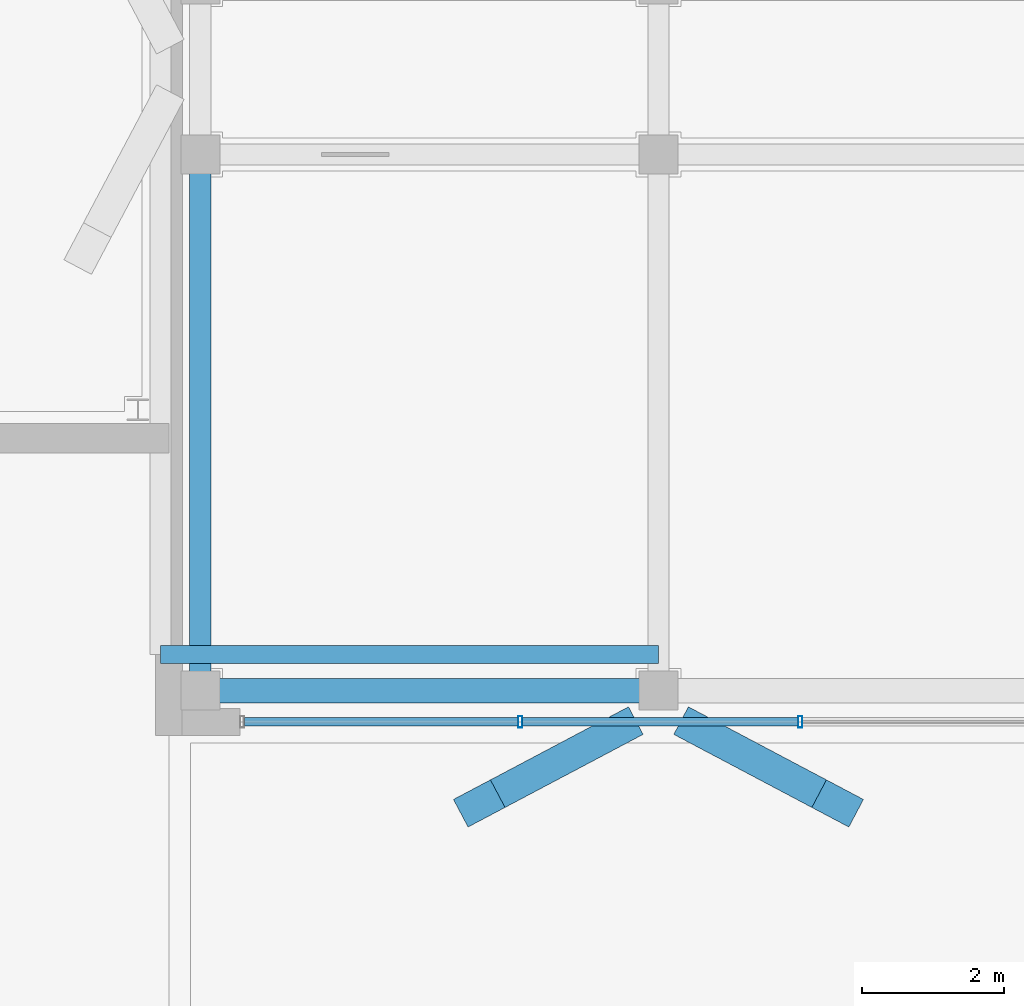
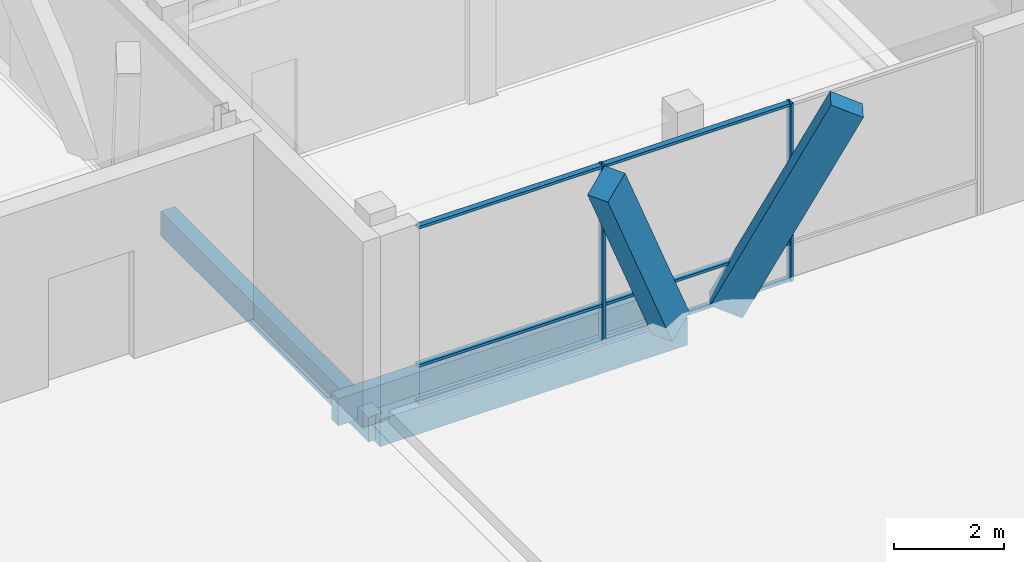
# One storey, part 129 of 233: 10 members, 3 beams, 1 element without a shape of its own.
"""IFC4 building model written with IfcOpenShell, lengths in metres."""

from ifc_helpers import new_model, si_unit, direction, frame, origin, origin_2d, place, context, subcontext, project, spatial, rectangle, hollow_rectangle, extrude, material, material_profile, profile_set, type_object, element, aggregate, save


model = new_model("IFC4")

# Units and contexts
model_context = context("Model", 3, precision=1e-05, world=origin(), true_north=direction((0.0, 1.0)))
body_context = subcontext(model_context, "Body", "Model", "MODEL_VIEW")
ifc_project = project(units=[si_unit("LENGTHUNIT", "METRE"), si_unit("AREAUNIT", "SQUARE_METRE"), si_unit("VOLUMEUNIT", "CUBIC_METRE"), si_unit("PLANEANGLEUNIT", "RADIAN"), si_unit("MASSUNIT", "GRAM", prefix="KILO")], contexts=[model_context])

# Site, building, storey
site_placement = place(None, origin())
site = spatial("IfcSite", under=ifc_project, at=site_placement, CompositionType="ELEMENT")
building_placement = place(site_placement, origin())
building = spatial("IfcBuilding", under=site, at=building_placement, Name="Zavelmont Quarter", CompositionType="ELEMENT")
storey_placement = place(building_placement, origin())
storey = spatial("IfcBuildingStorey", under=building, at=storey_placement, Name="L00", CompositionType="ELEMENT", Elevation=0.0)

# Beams
ifc_material_1 = material(Name="Concrete C35/45", Category="concrete")
ifc_material_profile_1 = material_profile(ifc_material_1, rectangle(XDim=0.35009765625, YDim=0.60009765625, at=origin_2d()), Name="RC350X600")
ifc_profile_set_1 = profile_set([ifc_material_profile_1], Name="Concrete C35/45")
beam_type_1 = type_object("IfcBeamType", Name="BM01", PredefinedType="SPANDREL", material=ifc_profile_set_1)
beam_1_placement = place(storey_placement, frame((113.239990234375, 98.0400390625, -0.6201171875), z_axis=(1.0, 0.0, 0.0), x_axis=(0.0, 1.0, 0.0)))
element("IfcBeam", 1, at=beam_1_placement, inside=storey, type_object=beam_type_1, Name="L00 beam BM01 17/P to 18/P", PredefinedType="SPANDREL", context=body_context, shape_type="SweptSolid", body=[
    extrude(rectangle(XDim=0.35009765625, YDim=0.60009765625, at=origin_2d()), origin(), (0.0, 0.0, 1.0), 6.4599609375),
])
ifc_material_profile_2 = material_profile(ifc_material_1, rectangle(XDim=0.300048828125, YDim=0.550048828125, at=origin_2d()), Name="RC300X550")
ifc_profile_set_2 = profile_set([ifc_material_profile_2], Name="Concrete C35/45")
beam_type_2 = type_object("IfcBeamType", Name="BM02", PredefinedType="SPANDREL", material=ifc_profile_set_2)
beam_2_placement = place(storey_placement, frame((113.239990234375, 98.0400390625, -0.594970703125), z_axis=(0.0, 1.0, 0.0), x_axis=(-1.0, 0.0, 0.0)))
element("IfcBeam", 2, at=beam_2_placement, inside=storey, type_object=beam_type_2, Name="L00 beam BM02 17/P to 17/Q", PredefinedType="SPANDREL", context=body_context, shape_type="SweptSolid", body=[
    extrude(rectangle(XDim=0.300048828125, YDim=0.550048828125, at=origin_2d()), origin(), (0.0, 0.0, 1.0), 7.56005859375),
])
ifc_material_2 = material(Name="Concrete C40/50", Category="concrete")
ifc_material_profile_3 = material_profile(ifc_material_2, rectangle(XDim=0.25, YDim=0.60009765625, at=origin_2d()), Name="RC250X600")
ifc_profile_set_3 = profile_set([ifc_material_profile_3], Name="Concrete C40/50")
beam_type_3 = type_object("IfcBeamType", Name="BM18", PredefinedType="BEAM", material=ifc_profile_set_3)
beam_3_placement = place(storey_placement, frame((119.699951171875, 98.550048828125, -0.300048828125), z_axis=(-1.0, 0.0, 0.0), x_axis=(0.0, -1.0, 0.0)))
element("IfcBeam", 3, at=beam_3_placement, inside=storey, type_object=beam_type_3, Name="L00 beam BM18 18/P to 17/P", PredefinedType="BEAM", context=body_context, shape_type="SweptSolid", body=[
    extrude(rectangle(XDim=0.25, YDim=0.60009765625, at=origin_2d()), origin(), (0.0, 0.0, 1.0), 7.02001953125),
])

# Curtain wall, members
ifc_material_3 = material(Name="Thermally broken aluminium and double low-E safety glazing", Category="aluminium")
curtain_wall_type = type_object("IfcCurtainWallType", Name="CW-1185X395", PredefinedType="NOTDEFINED", material=ifc_material_3)
curtain_wall_placement = place(storey_placement, origin())
curtain_wall = element("IfcCurtainWall", 4, at=curtain_wall_placement, inside=storey, type_object=curtain_wall_type, Name="L00 unitised curtain wall CW-1185X395", PredefinedType="NOTDEFINED")
ifc_material_4 = material(Name="Powder-coated aluminium EN AW-6063-T6", Category="aluminium")
ifc_material_profile_4 = material_profile(ifc_material_4, hollow_rectangle(XDim=0.06005859375, YDim=0.159912109375, WallThickness=0.00390625, at=origin_2d()), Name="CWM60X160")
ifc_profile_set_4 = profile_set([ifc_material_profile_4], Name="Powder-coated aluminium EN AW-6063-T6")
member_type_1 = type_object("IfcMemberType", Name="CWM01", PredefinedType="MULLION", material=ifc_profile_set_4)
member_1_placement = place(storey_placement, frame((117.75, 97.60009765625, 0.0), z_axis=(0.0, 0.0, 1.0), x_axis=(1.0, 0.0, 0.0)))
member_1 = element("IfcMember", 5, at=member_1_placement, type_object=member_type_1, Name="CW-1185X395 mullion 2", PredefinedType="MULLION", context=body_context, shape_type="SweptSolid", body=[
    extrude(hollow_rectangle(XDim=0.06005859375, YDim=0.159912109375, WallThickness=0.00390625, at=origin_2d()), origin(), (0.0, 0.0, 1.0), 3.949951171875),
])
member_2_placement = place(storey_placement, frame((121.699951171875, 97.60009765625, 0.0), z_axis=(0.0, 0.0, 1.0), x_axis=(1.0, 0.0, 0.0)))
member_2 = element("IfcMember", 6, at=member_2_placement, type_object=member_type_1, Name="CW-1185X395 mullion 3", PredefinedType="MULLION", context=body_context, shape_type="SweptSolid", body=[
    extrude(hollow_rectangle(XDim=0.06005859375, YDim=0.159912109375, WallThickness=0.00390625, at=origin_2d()), origin(), (0.0, 0.0, 1.0), 3.949951171875),
])
ifc_material_profile_5 = material_profile(ifc_material_4, hollow_rectangle(XDim=0.1201171875, YDim=0.06005859375, WallThickness=0.00390625, at=origin_2d()), Name="CWT60X120")
ifc_profile_set_5 = profile_set([ifc_material_profile_5], Name="Powder-coated aluminium EN AW-6063-T6")
member_type_2 = type_object("IfcMemberType", Name="CWT01", PredefinedType="NOTDEFINED", material=ifc_profile_set_5)
member_3_placement = place(storey_placement, frame((113.860107421875, 97.60009765625, 0.030029296875), z_axis=(1.0, 0.0, 0.0), x_axis=(0.0, 1.0, 0.0)))
member_3 = element("IfcMember", 7, at=member_3_placement, type_object=member_type_2, Name="CW-1185X395 transom 1.1", ObjectType="TRANSOM", PredefinedType="USERDEFINED", context=body_context, shape_type="SweptSolid", body=[
    extrude(hollow_rectangle(XDim=0.1201171875, YDim=0.06005859375, WallThickness=0.00390625, at=origin_2d()), origin(), (0.0, 0.0, 1.0), 3.85986328125),
])
member_4_placement = place(storey_placement, frame((113.860107421875, 97.60009765625, 0.85009765625), z_axis=(1.0, 0.0, 0.0), x_axis=(0.0, 1.0, 0.0)))
member_4 = element("IfcMember", 8, at=member_4_placement, type_object=member_type_2, Name="CW-1185X395 transom 1.2", ObjectType="TRANSOM", PredefinedType="USERDEFINED", context=body_context, shape_type="SweptSolid", body=[
    extrude(hollow_rectangle(XDim=0.1201171875, YDim=0.06005859375, WallThickness=0.00390625, at=origin_2d()), origin(), (0.0, 0.0, 1.0), 3.85986328125),
])
member_5_placement = place(storey_placement, frame((113.860107421875, 97.60009765625, 3.919921875), z_axis=(1.0, 0.0, 0.0), x_axis=(0.0, 1.0, 0.0)))
member_5 = element("IfcMember", 9, at=member_5_placement, type_object=member_type_2, Name="CW-1185X395 transom 1.3", ObjectType="TRANSOM", PredefinedType="USERDEFINED", context=body_context, shape_type="SweptSolid", body=[
    extrude(hollow_rectangle(XDim=0.1201171875, YDim=0.06005859375, WallThickness=0.00390625, at=origin_2d()), origin(), (0.0, 0.0, 1.0), 3.85986328125),
])
member_6_placement = place(storey_placement, frame((117.780029296875, 97.60009765625, 0.030029296875), z_axis=(1.0, 0.0, 0.0), x_axis=(0.0, 1.0, 0.0)))
member_6 = element("IfcMember", 10, at=member_6_placement, type_object=member_type_2, Name="CW-1185X395 transom 2.1", ObjectType="TRANSOM", PredefinedType="USERDEFINED", context=body_context, shape_type="SweptSolid", body=[
    extrude(hollow_rectangle(XDim=0.1201171875, YDim=0.06005859375, WallThickness=0.00390625, at=origin_2d()), origin(), (0.0, 0.0, 1.0), 3.889892578125),
])
member_7_placement = place(storey_placement, frame((117.780029296875, 97.60009765625, 0.85009765625), z_axis=(1.0, 0.0, 0.0), x_axis=(0.0, 1.0, 0.0)))
member_7 = element("IfcMember", 11, at=member_7_placement, type_object=member_type_2, Name="CW-1185X395 transom 2.2", ObjectType="TRANSOM", PredefinedType="USERDEFINED", context=body_context, shape_type="SweptSolid", body=[
    extrude(hollow_rectangle(XDim=0.1201171875, YDim=0.06005859375, WallThickness=0.00390625, at=origin_2d()), origin(), (0.0, 0.0, 1.0), 3.889892578125),
])
member_8_placement = place(storey_placement, frame((117.780029296875, 97.60009765625, 3.919921875), z_axis=(1.0, 0.0, 0.0), x_axis=(0.0, 1.0, 0.0)))
member_8 = element("IfcMember", 12, at=member_8_placement, type_object=member_type_2, Name="CW-1185X395 transom 2.3", ObjectType="TRANSOM", PredefinedType="USERDEFINED", context=body_context, shape_type="SweptSolid", body=[
    extrude(hollow_rectangle(XDim=0.1201171875, YDim=0.06005859375, WallThickness=0.00390625, at=origin_2d()), origin(), (0.0, 0.0, 1.0), 3.889892578125),
])
aggregate(curtain_wall, [member_1, member_2, member_3, member_4, member_5, member_6, member_7, member_8])

# Members
ifc_material_5 = material(Name="White architectural precast concrete C40/50", Category="concrete")
ifc_material_profile_6 = material_profile(ifc_material_5, rectangle(XDim=0.43994140625, YDim=0.659912109375, at=origin_2d()), Name="PCR320X480")
ifc_profile_set_6 = profile_set([ifc_material_profile_6], Name="White architectural precast concrete C40/50")
member_type_3 = type_object("IfcMemberType", Name="VR01M", PredefinedType="CHORD", material=ifc_profile_set_6)
member_9_placement = place(storey_placement, frame((119.1201171875, 97.47998046875, 0.0), z_axis=(-0.395656680346, -0.209339796135, 0.894221807524), x_axis=(0.467668705891, -0.883903830476, 0.0)))
element("IfcMember", 13, at=member_9_placement, inside=storey, type_object=member_type_3, Name="L00 member VR01M 18/P to 18/P", PredefinedType="CHORD", context=body_context, shape_type="SweptSolid", body=[
    extrude(rectangle(XDim=0.43994140625, YDim=0.659912109375, at=origin_2d()), origin(), (0.0, 0.0, 1.0), 4.92041015625),
])
member_10_placement = place(storey_placement, frame((120.280029296875, 97.47998046875, 0.0), z_axis=(0.395614828234, -0.209343905721, 0.89423936215), x_axis=(0.467714531549, 0.883879582849, 0.0)))
element("IfcMember", 14, at=member_10_placement, inside=storey, type_object=member_type_3, Name="L00 member VR01M 18/P to 18/P", PredefinedType="CHORD", context=body_context, shape_type="SweptSolid", body=[
    extrude(rectangle(XDim=0.43994140625, YDim=0.659912109375, at=origin_2d()), origin(), (0.0, 0.0, 1.0), 4.920166015625),
])

save(model, "model.ifc")
